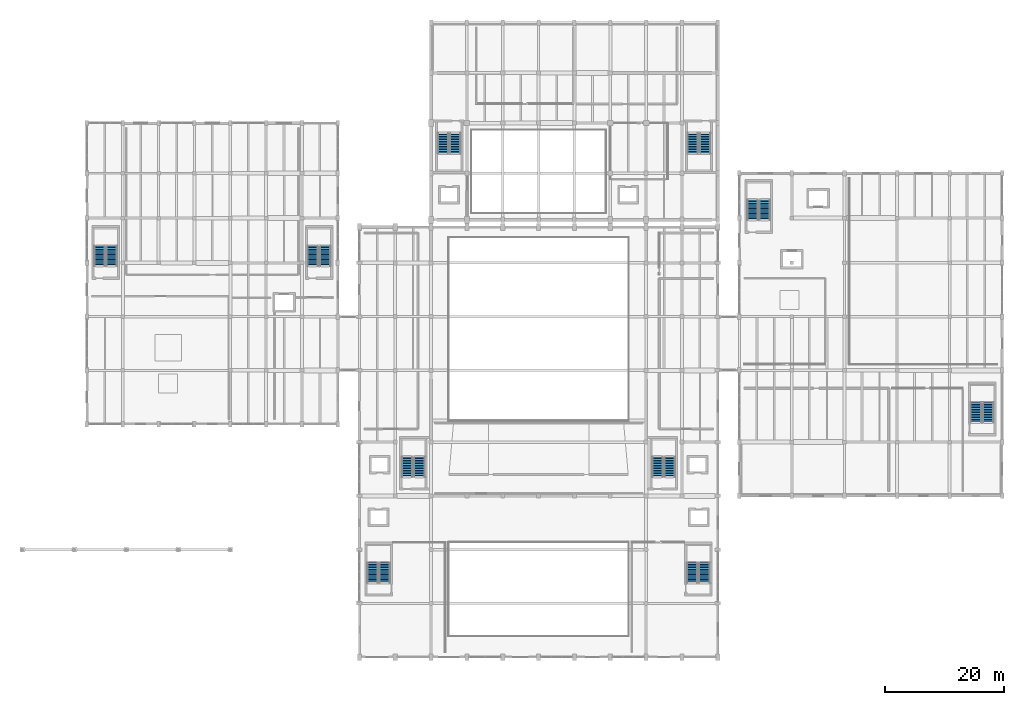
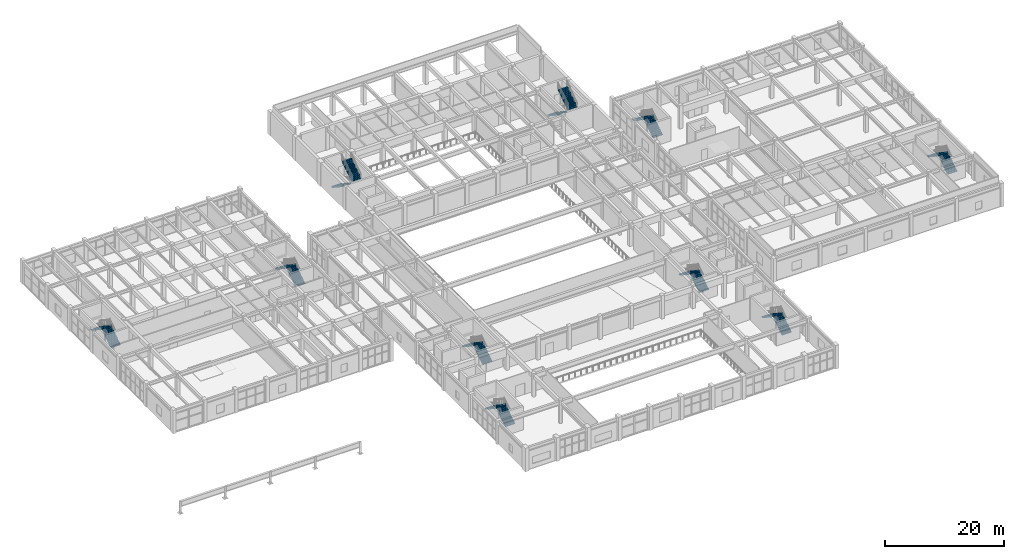
# One storey, part 68 of 85: 20 stair flights, 10 elements without a shape of their own.
"""IFC4 building model written with IfcOpenShell, lengths in metres."""

from ifc_helpers import new_model, si_unit, direction, frame, origin, place, context, subcontext, project, spatial, polyline, outline, extrude, material, type_object, element, aggregate, save


model = new_model("IFC4")

# Units and contexts
model_context = context("Model", 3, precision=1e-05, world=origin(), true_north=direction((0.0, 1.0)))
body_context = subcontext(model_context, "Body", "Model", "MODEL_VIEW")
ifc_project = project(units=[si_unit("LENGTHUNIT", "METRE"), si_unit("AREAUNIT", "SQUARE_METRE"), si_unit("VOLUMEUNIT", "CUBIC_METRE"), si_unit("PLANEANGLEUNIT", "RADIAN"), si_unit("MASSUNIT", "GRAM", prefix="KILO")], contexts=[model_context])

# Site, building, storey
site_placement = place(None, origin())
site = spatial("IfcSite", under=ifc_project, at=site_placement, CompositionType="ELEMENT")
building_placement = place(site_placement, origin())
building = spatial("IfcBuilding", under=site, at=building_placement, Name="Vaelkrest Opera House", CompositionType="ELEMENT")
storey_placement = place(building_placement, frame((0.0, 0.0, 10.199951171875)))
storey = spatial("IfcBuildingStorey", under=building, at=storey_placement, Name="L02", CompositionType="ELEMENT", Elevation=10.199951171875)

# Stair, stair flights
ifc_material = material(Name="Concrete C40/50", Category="concrete")
stair_type_1 = type_object("IfcStairType", Name="ST01", PredefinedType="TWO_STRAIGHT_RUN_STAIR", material=ifc_material)
stair_1_placement = place(storey_placement, origin())
stair_1 = element("IfcStair", 1, at=stair_1_placement, inside=storey, type_object=stair_type_1, Name="L02 Protected exit stair ST01", PredefinedType="TWO_STRAIGHT_RUN_STAIR")
stair_flight_type = type_object("IfcStairFlightType", Name="SFL176", PredefinedType="STRAIGHT", material=ifc_material)
stair_flight_1_placement = place(storey_placement, frame((-19.925048828125, -25.64990234375, 0.0), z_axis=(0.0, 0.0, 1.0), x_axis=(0.0, 1.0, 0.0)))
stair_flight_1 = element("IfcStairFlight", 2, at=stair_flight_1_placement, type_object=stair_flight_type, Name="ST01 flight 1", NumberOfRisers=13, NumberOfTreads=12, PredefinedType="STRAIGHT", RiserHeight=0.184615385, TreadLength=0.28, context=body_context, shape_type="SweptSolid", body=[
    extrude(outline(polyline([(0.0, 0.0), (0.0, 0.1845703125), (0.280029296875, 0.1845703125), (0.280029296875, 0.369140625), (0.56005859375, 0.369140625), (0.56005859375, 0.553955078125), (0.840087890625, 0.553955078125), (0.840087890625, 0.738525390625), (1.1201171875, 0.738525390625), (1.1201171875, 0.923095703125), (1.39990234375, 0.923095703125), (1.39990234375, 1.107666015625), (1.679931640625, 1.107666015625), (1.679931640625, 1.292236328125), (1.9599609375, 1.292236328125), (1.9599609375, 1.476806640625), (2.239990234375, 1.476806640625), (2.239990234375, 1.66162109375), (2.52001953125, 1.66162109375), (2.52001953125, 1.84619140625), (2.800048828125, 1.84619140625), (2.800048828125, 2.03076171875), (3.080078125, 2.03076171875), (3.080078125, 2.21533203125), (3.360107421875, 2.21533203125), (3.360107421875, 2.39990234375), (3.360107421875, 2.02392578125), (0.29052734375, 0.0), (0.0, 0.0)])), frame((0.0, 0.925048828125, 0.0), z_axis=(0.0, -1.0, 0.0), x_axis=(1.0, 0.0, 0.0)), (0.0, 0.0, 1.0), 1.85009765625),
])
stair_flight_2_placement = place(storey_placement, frame((-21.97509765625, -22.2900390625, 2.400146484375), z_axis=(0.0, 0.0, 1.0), x_axis=(0.0, -1.0, 0.0)))
stair_flight_2 = element("IfcStairFlight", 3, at=stair_flight_2_placement, type_object=stair_flight_type, Name="ST01 flight 2", NumberOfRisers=13, NumberOfTreads=12, PredefinedType="STRAIGHT", RiserHeight=0.184615385, TreadLength=0.28, context=body_context, shape_type="SweptSolid", body=[
    extrude(outline(polyline([(0.0, 0.0), (0.0, 0.1845703125), (0.280029296875, 0.1845703125), (0.280029296875, 0.369140625), (0.56005859375, 0.369140625), (0.56005859375, 0.553955078125), (0.840087890625, 0.553955078125), (0.840087890625, 0.738525390625), (1.1201171875, 0.738525390625), (1.1201171875, 0.923095703125), (1.39990234375, 0.923095703125), (1.39990234375, 1.107666015625), (1.679931640625, 1.107666015625), (1.679931640625, 1.292236328125), (1.9599609375, 1.292236328125), (1.9599609375, 1.476806640625), (2.239990234375, 1.476806640625), (2.239990234375, 1.66162109375), (2.52001953125, 1.66162109375), (2.52001953125, 1.84619140625), (2.800048828125, 1.84619140625), (2.800048828125, 2.03076171875), (3.080078125, 2.03076171875), (3.080078125, 2.21533203125), (3.360107421875, 2.21533203125), (3.360107421875, 2.39990234375), (3.360107421875, 2.02392578125), (0.29052734375, 0.0), (0.0, 0.0)])), frame((0.0, 0.925048828125, 0.0), z_axis=(0.0, -1.0, 0.0), x_axis=(1.0, 0.0, 0.0)), (0.0, 0.0, 1.0), 1.85009765625),
])
aggregate(stair_1, [stair_flight_1, stair_flight_2])

stair_type_2 = type_object("IfcStairType", Name="ST02", PredefinedType="TWO_STRAIGHT_RUN_STAIR", material=ifc_material)
stair_2_placement = place(storey_placement, origin())
stair_2 = element("IfcStair", 4, at=stair_2_placement, inside=storey, type_object=stair_type_2, Name="L02 Protected exit stair ST02", PredefinedType="TWO_STRAIGHT_RUN_STAIR")
stair_flight_3_placement = place(storey_placement, frame((21.97509765625, -25.64990234375, 0.0), z_axis=(0.0, 0.0, 1.0), x_axis=(0.0, 1.0, 0.0)))
stair_flight_3 = element("IfcStairFlight", 5, at=stair_flight_3_placement, type_object=stair_flight_type, Name="ST02 flight 1", NumberOfRisers=13, NumberOfTreads=12, PredefinedType="STRAIGHT", RiserHeight=0.184615385, TreadLength=0.28, context=body_context, shape_type="SweptSolid", body=[
    extrude(outline(polyline([(0.0, 0.0), (0.0, 0.1845703125), (0.280029296875, 0.1845703125), (0.280029296875, 0.369140625), (0.56005859375, 0.369140625), (0.56005859375, 0.553955078125), (0.840087890625, 0.553955078125), (0.840087890625, 0.738525390625), (1.1201171875, 0.738525390625), (1.1201171875, 0.923095703125), (1.39990234375, 0.923095703125), (1.39990234375, 1.107666015625), (1.679931640625, 1.107666015625), (1.679931640625, 1.292236328125), (1.9599609375, 1.292236328125), (1.9599609375, 1.476806640625), (2.239990234375, 1.476806640625), (2.239990234375, 1.66162109375), (2.52001953125, 1.66162109375), (2.52001953125, 1.84619140625), (2.800048828125, 1.84619140625), (2.800048828125, 2.03076171875), (3.080078125, 2.03076171875), (3.080078125, 2.21533203125), (3.360107421875, 2.21533203125), (3.360107421875, 2.39990234375), (3.360107421875, 2.02392578125), (0.29052734375, 0.0), (0.0, 0.0)])), frame((0.0, 0.925048828125, 0.0), z_axis=(0.0, -1.0, 0.0), x_axis=(1.0, 0.0, 0.0)), (0.0, 0.0, 1.0), 1.85009765625),
])
stair_flight_4_placement = place(storey_placement, frame((19.925048828125, -22.2900390625, 2.400146484375), z_axis=(0.0, 0.0, 1.0), x_axis=(0.0, -1.0, 0.0)))
stair_flight_4 = element("IfcStairFlight", 6, at=stair_flight_4_placement, type_object=stair_flight_type, Name="ST02 flight 2", NumberOfRisers=13, NumberOfTreads=12, PredefinedType="STRAIGHT", RiserHeight=0.184615385, TreadLength=0.28, context=body_context, shape_type="SweptSolid", body=[
    extrude(outline(polyline([(0.0, 0.0), (0.0, 0.1845703125), (0.280029296875, 0.1845703125), (0.280029296875, 0.369140625), (0.56005859375, 0.369140625), (0.56005859375, 0.553955078125), (0.840087890625, 0.553955078125), (0.840087890625, 0.738525390625), (1.1201171875, 0.738525390625), (1.1201171875, 0.923095703125), (1.39990234375, 0.923095703125), (1.39990234375, 1.107666015625), (1.679931640625, 1.107666015625), (1.679931640625, 1.292236328125), (1.9599609375, 1.292236328125), (1.9599609375, 1.476806640625), (2.239990234375, 1.476806640625), (2.239990234375, 1.66162109375), (2.52001953125, 1.66162109375), (2.52001953125, 1.84619140625), (2.800048828125, 1.84619140625), (2.800048828125, 2.03076171875), (3.080078125, 2.03076171875), (3.080078125, 2.21533203125), (3.360107421875, 2.21533203125), (3.360107421875, 2.39990234375), (3.360107421875, 2.02392578125), (0.29052734375, 0.0), (0.0, 0.0)])), frame((0.0, 0.925048828125, 0.0), z_axis=(0.0, -1.0, 0.0), x_axis=(1.0, 0.0, 0.0)), (0.0, 0.0, 1.0), 1.85009765625),
])
aggregate(stair_2, [stair_flight_3, stair_flight_4])

stair_type_3 = type_object("IfcStairType", Name="ST03", PredefinedType="TWO_STRAIGHT_RUN_STAIR", material=ifc_material)
stair_3_placement = place(storey_placement, origin())
stair_3 = element("IfcStair", 7, at=stair_3_placement, inside=storey, type_object=stair_type_3, Name="L02 Protected exit stair ST03", PredefinedType="TWO_STRAIGHT_RUN_STAIR")
stair_flight_5_placement = place(storey_placement, frame((-25.72509765625, -43.35009765625, 0.0), z_axis=(0.0, 0.0, 1.0), x_axis=(0.0, 1.0, 0.0)))
stair_flight_5 = element("IfcStairFlight", 8, at=stair_flight_5_placement, type_object=stair_flight_type, Name="ST03 flight 1", NumberOfRisers=13, NumberOfTreads=12, PredefinedType="STRAIGHT", RiserHeight=0.184615385, TreadLength=0.28, context=body_context, shape_type="SweptSolid", body=[
    extrude(outline(polyline([(0.0, 0.0), (0.0, 0.1845703125), (0.280029296875, 0.1845703125), (0.280029296875, 0.369140625), (0.56005859375, 0.369140625), (0.56005859375, 0.553955078125), (0.840087890625, 0.553955078125), (0.840087890625, 0.738525390625), (1.1201171875, 0.738525390625), (1.1201171875, 0.923095703125), (1.39990234375, 0.923095703125), (1.39990234375, 1.107666015625), (1.679931640625, 1.107666015625), (1.679931640625, 1.292236328125), (1.9599609375, 1.292236328125), (1.9599609375, 1.476806640625), (2.239990234375, 1.476806640625), (2.239990234375, 1.66162109375), (2.52001953125, 1.66162109375), (2.52001953125, 1.84619140625), (2.800048828125, 1.84619140625), (2.800048828125, 2.03076171875), (3.080078125, 2.03076171875), (3.080078125, 2.21533203125), (3.360107421875, 2.21533203125), (3.360107421875, 2.39990234375), (3.360107421875, 2.02392578125), (0.29052734375, 0.0), (0.0, 0.0)])), frame((0.0, 0.925048828125, 0.0), z_axis=(0.0, -1.0, 0.0), x_axis=(1.0, 0.0, 0.0)), (0.0, 0.0, 1.0), 1.85009765625),
])
stair_flight_6_placement = place(storey_placement, frame((-27.77490234375, -39.989990234375, 2.400146484375), z_axis=(0.0, 0.0, 1.0), x_axis=(0.0, -1.0, 0.0)))
stair_flight_6 = element("IfcStairFlight", 9, at=stair_flight_6_placement, type_object=stair_flight_type, Name="ST03 flight 2", NumberOfRisers=13, NumberOfTreads=12, PredefinedType="STRAIGHT", RiserHeight=0.184615385, TreadLength=0.28, context=body_context, shape_type="SweptSolid", body=[
    extrude(outline(polyline([(0.0, 0.0), (0.0, 0.1845703125), (0.280029296875, 0.1845703125), (0.280029296875, 0.369140625), (0.56005859375, 0.369140625), (0.56005859375, 0.553955078125), (0.840087890625, 0.553955078125), (0.840087890625, 0.738525390625), (1.1201171875, 0.738525390625), (1.1201171875, 0.923095703125), (1.39990234375, 0.923095703125), (1.39990234375, 1.107666015625), (1.679931640625, 1.107666015625), (1.679931640625, 1.292236328125), (1.9599609375, 1.292236328125), (1.9599609375, 1.476806640625), (2.239990234375, 1.476806640625), (2.239990234375, 1.66162109375), (2.52001953125, 1.66162109375), (2.52001953125, 1.84619140625), (2.800048828125, 1.84619140625), (2.800048828125, 2.03076171875), (3.080078125, 2.03076171875), (3.080078125, 2.21533203125), (3.360107421875, 2.21533203125), (3.360107421875, 2.39990234375), (3.360107421875, 2.02392578125), (0.29052734375, 0.0), (0.0, 0.0)])), frame((0.0, 0.925048828125, 0.0), z_axis=(0.0, -1.0, 0.0), x_axis=(1.0, 0.0, 0.0)), (0.0, 0.0, 1.0), 1.85009765625),
])
aggregate(stair_3, [stair_flight_5, stair_flight_6])

stair_type_4 = type_object("IfcStairType", Name="ST04", PredefinedType="TWO_STRAIGHT_RUN_STAIR", material=ifc_material)
stair_4_placement = place(storey_placement, origin())
stair_4 = element("IfcStair", 10, at=stair_4_placement, inside=storey, type_object=stair_type_4, Name="L02 Protected exit stair ST04", PredefinedType="TWO_STRAIGHT_RUN_STAIR")
stair_flight_7_placement = place(storey_placement, frame((27.77490234375, -43.35009765625, 0.0), z_axis=(0.0, 0.0, 1.0), x_axis=(0.0, 1.0, 0.0)))
stair_flight_7 = element("IfcStairFlight", 11, at=stair_flight_7_placement, type_object=stair_flight_type, Name="ST04 flight 1", NumberOfRisers=13, NumberOfTreads=12, PredefinedType="STRAIGHT", RiserHeight=0.184615385, TreadLength=0.28, context=body_context, shape_type="SweptSolid", body=[
    extrude(outline(polyline([(0.0, 0.0), (0.0, 0.1845703125), (0.280029296875, 0.1845703125), (0.280029296875, 0.369140625), (0.56005859375, 0.369140625), (0.56005859375, 0.553955078125), (0.840087890625, 0.553955078125), (0.840087890625, 0.738525390625), (1.1201171875, 0.738525390625), (1.1201171875, 0.923095703125), (1.39990234375, 0.923095703125), (1.39990234375, 1.107666015625), (1.679931640625, 1.107666015625), (1.679931640625, 1.292236328125), (1.9599609375, 1.292236328125), (1.9599609375, 1.476806640625), (2.239990234375, 1.476806640625), (2.239990234375, 1.66162109375), (2.52001953125, 1.66162109375), (2.52001953125, 1.84619140625), (2.800048828125, 1.84619140625), (2.800048828125, 2.03076171875), (3.080078125, 2.03076171875), (3.080078125, 2.21533203125), (3.360107421875, 2.21533203125), (3.360107421875, 2.39990234375), (3.360107421875, 2.02392578125), (0.29052734375, 0.0), (0.0, 0.0)])), frame((0.0, 0.925048828125, 0.0), z_axis=(0.0, -1.0, 0.0), x_axis=(1.0, 0.0, 0.0)), (0.0, 0.0, 1.0), 1.85009765625),
])
stair_flight_8_placement = place(storey_placement, frame((25.72509765625, -39.989990234375, 2.400146484375), z_axis=(0.0, 0.0, 1.0), x_axis=(0.0, -1.0, 0.0)))
stair_flight_8 = element("IfcStairFlight", 12, at=stair_flight_8_placement, type_object=stair_flight_type, Name="ST04 flight 2", NumberOfRisers=13, NumberOfTreads=12, PredefinedType="STRAIGHT", RiserHeight=0.184615385, TreadLength=0.28, context=body_context, shape_type="SweptSolid", body=[
    extrude(outline(polyline([(0.0, 0.0), (0.0, 0.1845703125), (0.280029296875, 0.1845703125), (0.280029296875, 0.369140625), (0.56005859375, 0.369140625), (0.56005859375, 0.553955078125), (0.840087890625, 0.553955078125), (0.840087890625, 0.738525390625), (1.1201171875, 0.738525390625), (1.1201171875, 0.923095703125), (1.39990234375, 0.923095703125), (1.39990234375, 1.107666015625), (1.679931640625, 1.107666015625), (1.679931640625, 1.292236328125), (1.9599609375, 1.292236328125), (1.9599609375, 1.476806640625), (2.239990234375, 1.476806640625), (2.239990234375, 1.66162109375), (2.52001953125, 1.66162109375), (2.52001953125, 1.84619140625), (2.800048828125, 1.84619140625), (2.800048828125, 2.03076171875), (3.080078125, 2.03076171875), (3.080078125, 2.21533203125), (3.360107421875, 2.21533203125), (3.360107421875, 2.39990234375), (3.360107421875, 2.02392578125), (0.29052734375, 0.0), (0.0, 0.0)])), frame((0.0, 0.925048828125, 0.0), z_axis=(0.0, -1.0, 0.0), x_axis=(1.0, 0.0, 0.0)), (0.0, 0.0, 1.0), 1.85009765625),
])
aggregate(stair_4, [stair_flight_7, stair_flight_8])

stair_type_5 = type_object("IfcStairType", Name="ST05", PredefinedType="TWO_STRAIGHT_RUN_STAIR", material=ifc_material)
stair_5_placement = place(storey_placement, origin())
stair_5 = element("IfcStair", 13, at=stair_5_placement, inside=storey, type_object=stair_type_5, Name="L02 Protected exit stair ST05", PredefinedType="TWO_STRAIGHT_RUN_STAIR")
stair_flight_9_placement = place(storey_placement, frame((-15.97509765625, 31.949951171875, 0.0), z_axis=(0.0, 0.0, 1.0), x_axis=(0.0, -1.0, 0.0)))
stair_flight_9 = element("IfcStairFlight", 14, at=stair_flight_9_placement, type_object=stair_flight_type, Name="ST05 flight 1", NumberOfRisers=13, NumberOfTreads=12, PredefinedType="STRAIGHT", RiserHeight=0.184615385, TreadLength=0.28, context=body_context, shape_type="SweptSolid", body=[
    extrude(outline(polyline([(0.0, 0.0), (0.0, 0.1845703125), (0.280029296875, 0.1845703125), (0.280029296875, 0.369140625), (0.56005859375, 0.369140625), (0.56005859375, 0.553955078125), (0.840087890625, 0.553955078125), (0.840087890625, 0.738525390625), (1.1201171875, 0.738525390625), (1.1201171875, 0.923095703125), (1.39990234375, 0.923095703125), (1.39990234375, 1.107666015625), (1.679931640625, 1.107666015625), (1.679931640625, 1.292236328125), (1.9599609375, 1.292236328125), (1.9599609375, 1.476806640625), (2.239990234375, 1.476806640625), (2.239990234375, 1.66162109375), (2.52001953125, 1.66162109375), (2.52001953125, 1.84619140625), (2.800048828125, 1.84619140625), (2.800048828125, 2.03076171875), (3.080078125, 2.03076171875), (3.080078125, 2.21533203125), (3.360107421875, 2.21533203125), (3.360107421875, 2.39990234375), (3.360107421875, 2.02392578125), (0.29052734375, 0.0), (0.0, 0.0)])), frame((0.0, 0.925048828125, 0.0), z_axis=(0.0, -1.0, 0.0), x_axis=(1.0, 0.0, 0.0)), (0.0, 0.0, 1.0), 1.85009765625),
])
stair_flight_10_placement = place(storey_placement, frame((-13.925048828125, 28.590087890625, 2.400146484375), z_axis=(0.0, 0.0, 1.0), x_axis=(0.0, 1.0, 0.0)))
stair_flight_10 = element("IfcStairFlight", 15, at=stair_flight_10_placement, type_object=stair_flight_type, Name="ST05 flight 2", NumberOfRisers=13, NumberOfTreads=12, PredefinedType="STRAIGHT", RiserHeight=0.184615385, TreadLength=0.28, context=body_context, shape_type="SweptSolid", body=[
    extrude(outline(polyline([(0.0, 0.0), (0.0, 0.1845703125), (0.280029296875, 0.1845703125), (0.280029296875, 0.369140625), (0.56005859375, 0.369140625), (0.56005859375, 0.553955078125), (0.840087890625, 0.553955078125), (0.840087890625, 0.738525390625), (1.1201171875, 0.738525390625), (1.1201171875, 0.923095703125), (1.39990234375, 0.923095703125), (1.39990234375, 1.107666015625), (1.679931640625, 1.107666015625), (1.679931640625, 1.292236328125), (1.9599609375, 1.292236328125), (1.9599609375, 1.476806640625), (2.239990234375, 1.476806640625), (2.239990234375, 1.66162109375), (2.52001953125, 1.66162109375), (2.52001953125, 1.84619140625), (2.800048828125, 1.84619140625), (2.800048828125, 2.03076171875), (3.080078125, 2.03076171875), (3.080078125, 2.21533203125), (3.360107421875, 2.21533203125), (3.360107421875, 2.39990234375), (3.360107421875, 2.02392578125), (0.29052734375, 0.0), (0.0, 0.0)])), frame((0.0, 0.925048828125, 0.0), z_axis=(0.0, -1.0, 0.0), x_axis=(1.0, 0.0, 0.0)), (0.0, 0.0, 1.0), 1.85009765625),
])
aggregate(stair_5, [stair_flight_9, stair_flight_10])

stair_type_6 = type_object("IfcStairType", Name="ST06", PredefinedType="TWO_STRAIGHT_RUN_STAIR", material=ifc_material)
stair_6_placement = place(storey_placement, origin())
stair_6 = element("IfcStair", 16, at=stair_6_placement, inside=storey, type_object=stair_type_6, Name="L02 Protected exit stair ST06", PredefinedType="TWO_STRAIGHT_RUN_STAIR")
stair_flight_11_placement = place(storey_placement, frame((25.824951171875, 31.949951171875, 0.0), z_axis=(0.0, 0.0, 1.0), x_axis=(0.0, -1.0, 0.0)))
stair_flight_11 = element("IfcStairFlight", 17, at=stair_flight_11_placement, type_object=stair_flight_type, Name="ST06 flight 1", NumberOfRisers=13, NumberOfTreads=12, PredefinedType="STRAIGHT", RiserHeight=0.184615385, TreadLength=0.28, context=body_context, shape_type="SweptSolid", body=[
    extrude(outline(polyline([(0.0, 0.0), (0.0, 0.1845703125), (0.280029296875, 0.1845703125), (0.280029296875, 0.369140625), (0.56005859375, 0.369140625), (0.56005859375, 0.553955078125), (0.840087890625, 0.553955078125), (0.840087890625, 0.738525390625), (1.1201171875, 0.738525390625), (1.1201171875, 0.923095703125), (1.39990234375, 0.923095703125), (1.39990234375, 1.107666015625), (1.679931640625, 1.107666015625), (1.679931640625, 1.292236328125), (1.9599609375, 1.292236328125), (1.9599609375, 1.476806640625), (2.239990234375, 1.476806640625), (2.239990234375, 1.66162109375), (2.52001953125, 1.66162109375), (2.52001953125, 1.84619140625), (2.800048828125, 1.84619140625), (2.800048828125, 2.03076171875), (3.080078125, 2.03076171875), (3.080078125, 2.21533203125), (3.360107421875, 2.21533203125), (3.360107421875, 2.39990234375), (3.360107421875, 2.02392578125), (0.29052734375, 0.0), (0.0, 0.0)])), frame((0.0, 0.925048828125, 0.0), z_axis=(0.0, -1.0, 0.0), x_axis=(1.0, 0.0, 0.0)), (0.0, 0.0, 1.0), 1.85009765625),
])
stair_flight_12_placement = place(storey_placement, frame((27.875, 28.590087890625, 2.400146484375), z_axis=(0.0, 0.0, 1.0), x_axis=(0.0, 1.0, 0.0)))
stair_flight_12 = element("IfcStairFlight", 18, at=stair_flight_12_placement, type_object=stair_flight_type, Name="ST06 flight 2", NumberOfRisers=13, NumberOfTreads=12, PredefinedType="STRAIGHT", RiserHeight=0.184615385, TreadLength=0.28, context=body_context, shape_type="SweptSolid", body=[
    extrude(outline(polyline([(0.0, 0.0), (0.0, 0.1845703125), (0.280029296875, 0.1845703125), (0.280029296875, 0.369140625), (0.56005859375, 0.369140625), (0.56005859375, 0.553955078125), (0.840087890625, 0.553955078125), (0.840087890625, 0.738525390625), (1.1201171875, 0.738525390625), (1.1201171875, 0.923095703125), (1.39990234375, 0.923095703125), (1.39990234375, 1.107666015625), (1.679931640625, 1.107666015625), (1.679931640625, 1.292236328125), (1.9599609375, 1.292236328125), (1.9599609375, 1.476806640625), (2.239990234375, 1.476806640625), (2.239990234375, 1.66162109375), (2.52001953125, 1.66162109375), (2.52001953125, 1.84619140625), (2.800048828125, 1.84619140625), (2.800048828125, 2.03076171875), (3.080078125, 2.03076171875), (3.080078125, 2.21533203125), (3.360107421875, 2.21533203125), (3.360107421875, 2.39990234375), (3.360107421875, 2.02392578125), (0.29052734375, 0.0), (0.0, 0.0)])), frame((0.0, 0.925048828125, 0.0), z_axis=(0.0, -1.0, 0.0), x_axis=(1.0, 0.0, 0.0)), (0.0, 0.0, 1.0), 1.85009765625),
])
aggregate(stair_6, [stair_flight_11, stair_flight_12])

stair_type_7 = type_object("IfcStairType", Name="ST07", PredefinedType="TWO_STRAIGHT_RUN_STAIR", material=ifc_material)
stair_7_placement = place(storey_placement, origin())
stair_7 = element("IfcStair", 19, at=stair_7_placement, inside=storey, type_object=stair_type_7, Name="L02 Protected exit stair ST07", PredefinedType="TWO_STRAIGHT_RUN_STAIR")
stair_flight_13_placement = place(storey_placement, frame((-71.425048828125, 9.64990234375, 0.0), z_axis=(0.0, 0.0, 1.0), x_axis=(0.0, 1.0, 0.0)))
stair_flight_13 = element("IfcStairFlight", 20, at=stair_flight_13_placement, type_object=stair_flight_type, Name="ST07 flight 1", NumberOfRisers=13, NumberOfTreads=12, PredefinedType="STRAIGHT", RiserHeight=0.184615385, TreadLength=0.28, context=body_context, shape_type="SweptSolid", body=[
    extrude(outline(polyline([(0.0, 0.0), (0.0, 0.1845703125), (0.280029296875, 0.1845703125), (0.280029296875, 0.369140625), (0.56005859375, 0.369140625), (0.56005859375, 0.553955078125), (0.840087890625, 0.553955078125), (0.840087890625, 0.738525390625), (1.1201171875, 0.738525390625), (1.1201171875, 0.923095703125), (1.39990234375, 0.923095703125), (1.39990234375, 1.107666015625), (1.679931640625, 1.107666015625), (1.679931640625, 1.292236328125), (1.9599609375, 1.292236328125), (1.9599609375, 1.476806640625), (2.239990234375, 1.476806640625), (2.239990234375, 1.66162109375), (2.52001953125, 1.66162109375), (2.52001953125, 1.84619140625), (2.800048828125, 1.84619140625), (2.800048828125, 2.03076171875), (3.080078125, 2.03076171875), (3.080078125, 2.21533203125), (3.360107421875, 2.21533203125), (3.360107421875, 2.39990234375), (3.360107421875, 2.02392578125), (0.29052734375, 0.0), (0.0, 0.0)])), frame((0.0, 0.925048828125, 0.0), z_axis=(0.0, -1.0, 0.0), x_axis=(1.0, 0.0, 0.0)), (0.0, 0.0, 1.0), 1.85009765625),
])
stair_flight_14_placement = place(storey_placement, frame((-73.47509765625, 13.010009765625, 2.400146484375), z_axis=(0.0, 0.0, 1.0), x_axis=(0.0, -1.0, 0.0)))
stair_flight_14 = element("IfcStairFlight", 21, at=stair_flight_14_placement, type_object=stair_flight_type, Name="ST07 flight 2", NumberOfRisers=13, NumberOfTreads=12, PredefinedType="STRAIGHT", RiserHeight=0.184615385, TreadLength=0.28, context=body_context, shape_type="SweptSolid", body=[
    extrude(outline(polyline([(0.0, 0.0), (0.0, 0.1845703125), (0.280029296875, 0.1845703125), (0.280029296875, 0.369140625), (0.56005859375, 0.369140625), (0.56005859375, 0.553955078125), (0.840087890625, 0.553955078125), (0.840087890625, 0.738525390625), (1.1201171875, 0.738525390625), (1.1201171875, 0.923095703125), (1.39990234375, 0.923095703125), (1.39990234375, 1.107666015625), (1.679931640625, 1.107666015625), (1.679931640625, 1.292236328125), (1.9599609375, 1.292236328125), (1.9599609375, 1.476806640625), (2.239990234375, 1.476806640625), (2.239990234375, 1.66162109375), (2.52001953125, 1.66162109375), (2.52001953125, 1.84619140625), (2.800048828125, 1.84619140625), (2.800048828125, 2.03076171875), (3.080078125, 2.03076171875), (3.080078125, 2.21533203125), (3.360107421875, 2.21533203125), (3.360107421875, 2.39990234375), (3.360107421875, 2.02392578125), (0.29052734375, 0.0), (0.0, 0.0)])), frame((0.0, 0.925048828125, 0.0), z_axis=(0.0, -1.0, 0.0), x_axis=(1.0, 0.0, 0.0)), (0.0, 0.0, 1.0), 1.85009765625),
])
aggregate(stair_7, [stair_flight_13, stair_flight_14])

stair_type_8 = type_object("IfcStairType", Name="ST08", PredefinedType="TWO_STRAIGHT_RUN_STAIR", material=ifc_material)
stair_8_placement = place(storey_placement, origin())
stair_8 = element("IfcStair", 22, at=stair_8_placement, inside=storey, type_object=stair_type_8, Name="L02 Protected exit stair ST08", PredefinedType="TWO_STRAIGHT_RUN_STAIR")
stair_flight_15_placement = place(storey_placement, frame((-35.72509765625, 9.64990234375, 0.0), z_axis=(0.0, 0.0, 1.0), x_axis=(0.0, 1.0, 0.0)))
stair_flight_15 = element("IfcStairFlight", 23, at=stair_flight_15_placement, type_object=stair_flight_type, Name="ST08 flight 1", NumberOfRisers=13, NumberOfTreads=12, PredefinedType="STRAIGHT", RiserHeight=0.184615385, TreadLength=0.28, context=body_context, shape_type="SweptSolid", body=[
    extrude(outline(polyline([(0.0, 0.0), (0.0, 0.1845703125), (0.280029296875, 0.1845703125), (0.280029296875, 0.369140625), (0.56005859375, 0.369140625), (0.56005859375, 0.553955078125), (0.840087890625, 0.553955078125), (0.840087890625, 0.738525390625), (1.1201171875, 0.738525390625), (1.1201171875, 0.923095703125), (1.39990234375, 0.923095703125), (1.39990234375, 1.107666015625), (1.679931640625, 1.107666015625), (1.679931640625, 1.292236328125), (1.9599609375, 1.292236328125), (1.9599609375, 1.476806640625), (2.239990234375, 1.476806640625), (2.239990234375, 1.66162109375), (2.52001953125, 1.66162109375), (2.52001953125, 1.84619140625), (2.800048828125, 1.84619140625), (2.800048828125, 2.03076171875), (3.080078125, 2.03076171875), (3.080078125, 2.21533203125), (3.360107421875, 2.21533203125), (3.360107421875, 2.39990234375), (3.360107421875, 2.02392578125), (0.29052734375, 0.0), (0.0, 0.0)])), frame((0.0, 0.925048828125, 0.0), z_axis=(0.0, -1.0, 0.0), x_axis=(1.0, 0.0, 0.0)), (0.0, 0.0, 1.0), 1.85009765625),
])
stair_flight_16_placement = place(storey_placement, frame((-37.77490234375, 13.010009765625, 2.400146484375), z_axis=(0.0, 0.0, 1.0), x_axis=(0.0, -1.0, 0.0)))
stair_flight_16 = element("IfcStairFlight", 24, at=stair_flight_16_placement, type_object=stair_flight_type, Name="ST08 flight 2", NumberOfRisers=13, NumberOfTreads=12, PredefinedType="STRAIGHT", RiserHeight=0.184615385, TreadLength=0.28, context=body_context, shape_type="SweptSolid", body=[
    extrude(outline(polyline([(0.0, 0.0), (0.0, 0.1845703125), (0.280029296875, 0.1845703125), (0.280029296875, 0.369140625), (0.56005859375, 0.369140625), (0.56005859375, 0.553955078125), (0.840087890625, 0.553955078125), (0.840087890625, 0.738525390625), (1.1201171875, 0.738525390625), (1.1201171875, 0.923095703125), (1.39990234375, 0.923095703125), (1.39990234375, 1.107666015625), (1.679931640625, 1.107666015625), (1.679931640625, 1.292236328125), (1.9599609375, 1.292236328125), (1.9599609375, 1.476806640625), (2.239990234375, 1.476806640625), (2.239990234375, 1.66162109375), (2.52001953125, 1.66162109375), (2.52001953125, 1.84619140625), (2.800048828125, 1.84619140625), (2.800048828125, 2.03076171875), (3.080078125, 2.03076171875), (3.080078125, 2.21533203125), (3.360107421875, 2.21533203125), (3.360107421875, 2.39990234375), (3.360107421875, 2.02392578125), (0.29052734375, 0.0), (0.0, 0.0)])), frame((0.0, 0.925048828125, 0.0), z_axis=(0.0, -1.0, 0.0), x_axis=(1.0, 0.0, 0.0)), (0.0, 0.0, 1.0), 1.85009765625),
])
aggregate(stair_8, [stair_flight_15, stair_flight_16])

stair_type_9 = type_object("IfcStairType", Name="ST09", PredefinedType="TWO_STRAIGHT_RUN_STAIR", material=ifc_material)
stair_9_placement = place(storey_placement, origin())
stair_9 = element("IfcStair", 25, at=stair_9_placement, inside=storey, type_object=stair_type_9, Name="L02 Protected exit stair ST09", PredefinedType="TWO_STRAIGHT_RUN_STAIR")
stair_flight_17_placement = place(storey_placement, frame((37.875, 17.35009765625, 0.0), z_axis=(0.0, 0.0, 1.0), x_axis=(0.0, 1.0, 0.0)))
stair_flight_17 = element("IfcStairFlight", 26, at=stair_flight_17_placement, type_object=stair_flight_type, Name="ST09 flight 1", NumberOfRisers=13, NumberOfTreads=12, PredefinedType="STRAIGHT", RiserHeight=0.184615385, TreadLength=0.28, context=body_context, shape_type="SweptSolid", body=[
    extrude(outline(polyline([(0.0, 0.0), (0.0, 0.1845703125), (0.280029296875, 0.1845703125), (0.280029296875, 0.369140625), (0.56005859375, 0.369140625), (0.56005859375, 0.553955078125), (0.840087890625, 0.553955078125), (0.840087890625, 0.738525390625), (1.1201171875, 0.738525390625), (1.1201171875, 0.923095703125), (1.39990234375, 0.923095703125), (1.39990234375, 1.107666015625), (1.679931640625, 1.107666015625), (1.679931640625, 1.292236328125), (1.9599609375, 1.292236328125), (1.9599609375, 1.476806640625), (2.239990234375, 1.476806640625), (2.239990234375, 1.66162109375), (2.52001953125, 1.66162109375), (2.52001953125, 1.84619140625), (2.800048828125, 1.84619140625), (2.800048828125, 2.03076171875), (3.080078125, 2.03076171875), (3.080078125, 2.21533203125), (3.360107421875, 2.21533203125), (3.360107421875, 2.39990234375), (3.360107421875, 2.02392578125), (0.29052734375, 0.0), (0.0, 0.0)])), frame((0.0, 0.925048828125, 0.0), z_axis=(0.0, -1.0, 0.0), x_axis=(1.0, 0.0, 0.0)), (0.0, 0.0, 1.0), 1.85009765625),
])
stair_flight_18_placement = place(storey_placement, frame((35.824951171875, 20.7099609375, 2.400146484375), z_axis=(0.0, 0.0, 1.0), x_axis=(0.0, -1.0, 0.0)))
stair_flight_18 = element("IfcStairFlight", 27, at=stair_flight_18_placement, type_object=stair_flight_type, Name="ST09 flight 2", NumberOfRisers=13, NumberOfTreads=12, PredefinedType="STRAIGHT", RiserHeight=0.184615385, TreadLength=0.28, context=body_context, shape_type="SweptSolid", body=[
    extrude(outline(polyline([(0.0, 0.0), (0.0, 0.1845703125), (0.280029296875, 0.1845703125), (0.280029296875, 0.369140625), (0.56005859375, 0.369140625), (0.56005859375, 0.553955078125), (0.840087890625, 0.553955078125), (0.840087890625, 0.738525390625), (1.1201171875, 0.738525390625), (1.1201171875, 0.923095703125), (1.39990234375, 0.923095703125), (1.39990234375, 1.107666015625), (1.679931640625, 1.107666015625), (1.679931640625, 1.292236328125), (1.9599609375, 1.292236328125), (1.9599609375, 1.476806640625), (2.239990234375, 1.476806640625), (2.239990234375, 1.66162109375), (2.52001953125, 1.66162109375), (2.52001953125, 1.84619140625), (2.800048828125, 1.84619140625), (2.800048828125, 2.03076171875), (3.080078125, 2.03076171875), (3.080078125, 2.21533203125), (3.360107421875, 2.21533203125), (3.360107421875, 2.39990234375), (3.360107421875, 2.02392578125), (0.29052734375, 0.0), (0.0, 0.0)])), frame((0.0, 0.925048828125, 0.0), z_axis=(0.0, -1.0, 0.0), x_axis=(1.0, 0.0, 0.0)), (0.0, 0.0, 1.0), 1.85009765625),
])
aggregate(stair_9, [stair_flight_17, stair_flight_18])

stair_type_10 = type_object("IfcStairType", Name="ST10", PredefinedType="TWO_STRAIGHT_RUN_STAIR", material=ifc_material)
stair_10_placement = place(storey_placement, origin())
stair_10 = element("IfcStair", 28, at=stair_10_placement, inside=storey, type_object=stair_type_10, Name="L02 Protected exit stair ST10", PredefinedType="TWO_STRAIGHT_RUN_STAIR")
stair_flight_19_placement = place(storey_placement, frame((75.27490234375, -16.550048828125, 0.0), z_axis=(0.0, 0.0, 1.0), x_axis=(0.0, 1.0, 0.0)))
stair_flight_19 = element("IfcStairFlight", 29, at=stair_flight_19_placement, type_object=stair_flight_type, Name="ST10 flight 1", NumberOfRisers=13, NumberOfTreads=12, PredefinedType="STRAIGHT", RiserHeight=0.184615385, TreadLength=0.28, context=body_context, shape_type="SweptSolid", body=[
    extrude(outline(polyline([(0.0, 0.0), (0.0, 0.1845703125), (0.280029296875, 0.1845703125), (0.280029296875, 0.369140625), (0.56005859375, 0.369140625), (0.56005859375, 0.553955078125), (0.840087890625, 0.553955078125), (0.840087890625, 0.738525390625), (1.1201171875, 0.738525390625), (1.1201171875, 0.923095703125), (1.39990234375, 0.923095703125), (1.39990234375, 1.107666015625), (1.679931640625, 1.107666015625), (1.679931640625, 1.292236328125), (1.9599609375, 1.292236328125), (1.9599609375, 1.476806640625), (2.239990234375, 1.476806640625), (2.239990234375, 1.66162109375), (2.52001953125, 1.66162109375), (2.52001953125, 1.84619140625), (2.800048828125, 1.84619140625), (2.800048828125, 2.03076171875), (3.080078125, 2.03076171875), (3.080078125, 2.21533203125), (3.360107421875, 2.21533203125), (3.360107421875, 2.39990234375), (3.360107421875, 2.02392578125), (0.29052734375, 0.0), (0.0, 0.0)])), frame((0.0, 0.925048828125, 0.0), z_axis=(0.0, -1.0, 0.0), x_axis=(1.0, 0.0, 0.0)), (0.0, 0.0, 1.0), 1.85009765625),
])
stair_flight_20_placement = place(storey_placement, frame((73.22509765625, -13.18994140625, 2.400146484375), z_axis=(0.0, 0.0, 1.0), x_axis=(0.0, -1.0, 0.0)))
stair_flight_20 = element("IfcStairFlight", 30, at=stair_flight_20_placement, type_object=stair_flight_type, Name="ST10 flight 2", NumberOfRisers=13, NumberOfTreads=12, PredefinedType="STRAIGHT", RiserHeight=0.184615385, TreadLength=0.28, context=body_context, shape_type="SweptSolid", body=[
    extrude(outline(polyline([(0.0, 0.0), (0.0, 0.1845703125), (0.280029296875, 0.1845703125), (0.280029296875, 0.369140625), (0.56005859375, 0.369140625), (0.56005859375, 0.553955078125), (0.840087890625, 0.553955078125), (0.840087890625, 0.738525390625), (1.1201171875, 0.738525390625), (1.1201171875, 0.923095703125), (1.39990234375, 0.923095703125), (1.39990234375, 1.107666015625), (1.679931640625, 1.107666015625), (1.679931640625, 1.292236328125), (1.9599609375, 1.292236328125), (1.9599609375, 1.476806640625), (2.239990234375, 1.476806640625), (2.239990234375, 1.66162109375), (2.52001953125, 1.66162109375), (2.52001953125, 1.84619140625), (2.800048828125, 1.84619140625), (2.800048828125, 2.03076171875), (3.080078125, 2.03076171875), (3.080078125, 2.21533203125), (3.360107421875, 2.21533203125), (3.360107421875, 2.39990234375), (3.360107421875, 2.02392578125), (0.29052734375, 0.0), (0.0, 0.0)])), frame((0.0, 0.925048828125, 0.0), z_axis=(0.0, -1.0, 0.0), x_axis=(1.0, 0.0, 0.0)), (0.0, 0.0, 1.0), 1.85009765625),
])
aggregate(stair_10, [stair_flight_19, stair_flight_20])

save(model, "model.ifc")
